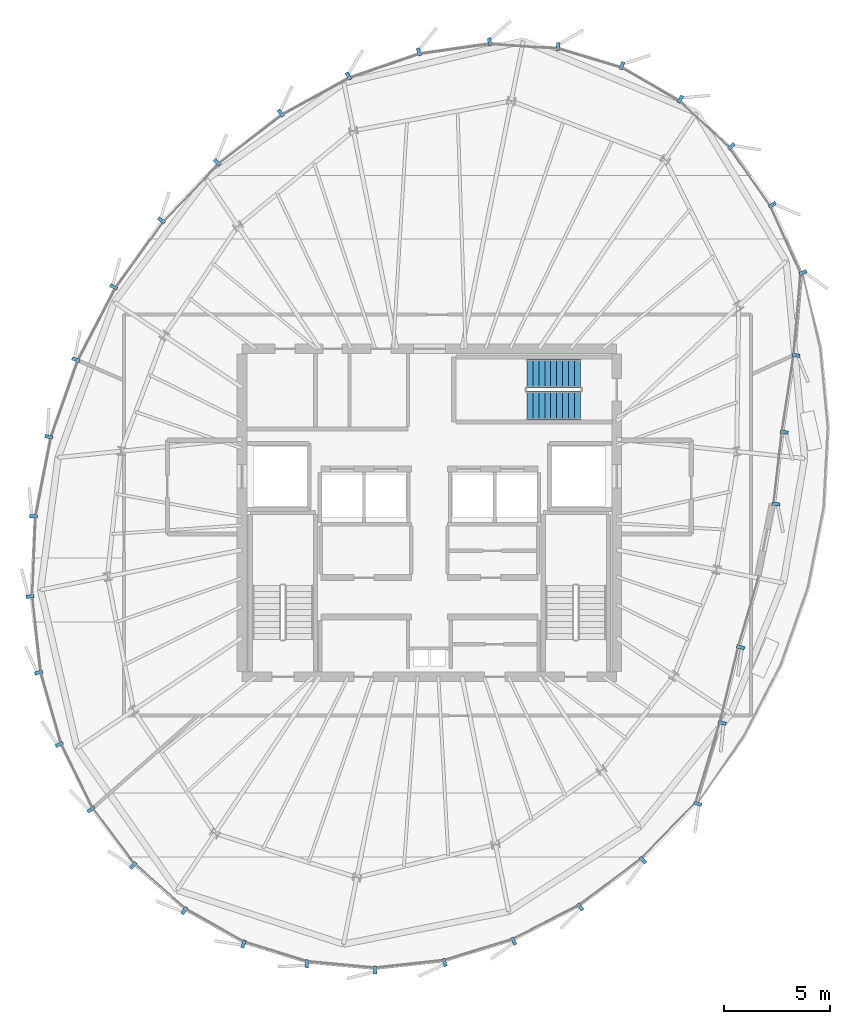
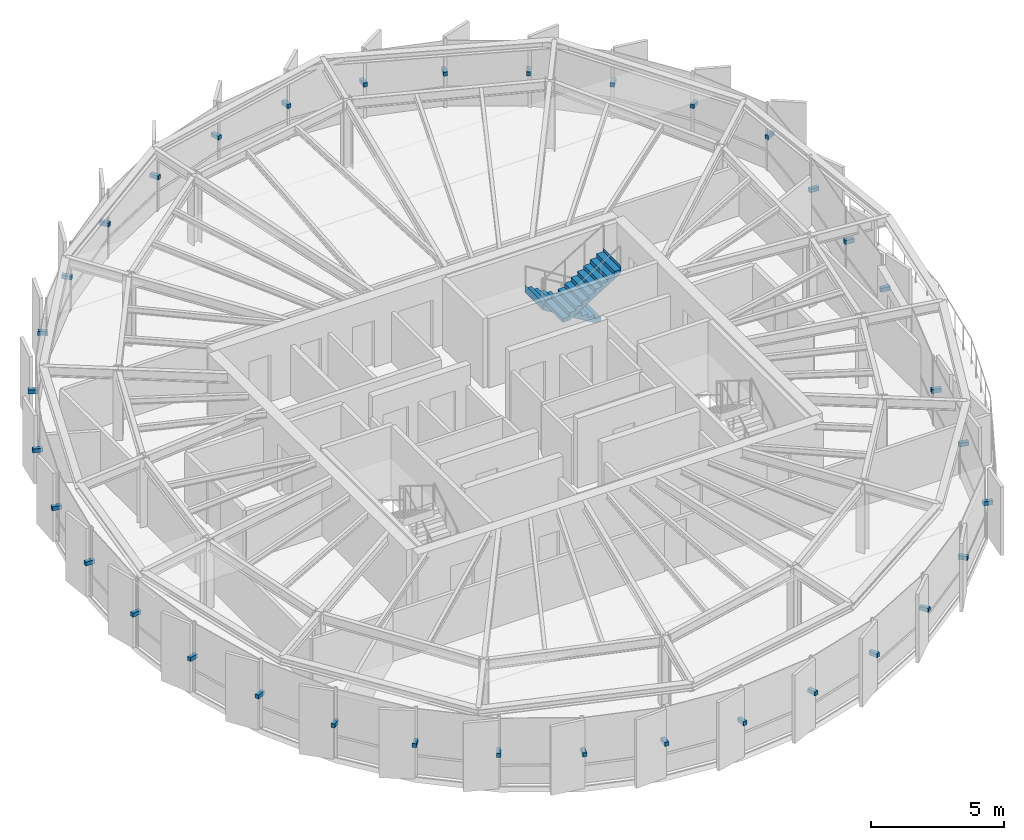
# One storey, part 27 of 31: 35 discrete accessories, 2 stair flights, 1 element without a shape of its own.
"""IFC4 building model written with IfcOpenShell, lengths in metres."""

from ifc_helpers import new_model, si_unit, direction, frame, origin, origin_2d, place, context, subcontext, project, spatial, polyline, rectangle, outline, extrude, source, transform, mapped, material, type_object, element, aggregate, save


model = new_model("IFC4")

# Units and contexts
model_context = context("Model", 3, precision=1e-05, world=origin(), true_north=direction((0.0, 1.0)))
body_context = subcontext(model_context, "Body", "Model", "MODEL_VIEW")
ifc_project = project(units=[si_unit("LENGTHUNIT", "METRE"), si_unit("AREAUNIT", "SQUARE_METRE"), si_unit("VOLUMEUNIT", "CUBIC_METRE"), si_unit("PLANEANGLEUNIT", "RADIAN"), si_unit("MASSUNIT", "GRAM", prefix="KILO"), si_unit("THERMODYNAMICTEMPERATUREUNIT", "KELVIN")], contexts=[model_context])

# Site, building, storey
site_placement = place(None, origin())
site = spatial("IfcSite", under=ifc_project, at=site_placement, CompositionType="ELEMENT")
building_placement = place(site_placement, origin())
building = spatial("IfcBuilding", under=site, at=building_placement, Name="Kethvar Cultural Tower", CompositionType="ELEMENT")
storey_placement = place(building_placement, frame((0.0, 0.0, 300.85009765625)))
storey = spatial("IfcBuildingStorey", under=building, at=storey_placement, Name="L80", CompositionType="ELEMENT", Elevation=300.85009765625)

# Stair, stair flights
ifc_material_1 = material(Name="Concrete C40/50", Category="concrete")
stair_type = type_object("IfcStairType", Name="ST-DOGLEG-135", PredefinedType="HALF_TURN_STAIR", material=ifc_material_1)
stair_placement = place(storey_placement, origin())
stair = element("IfcStair", 1, at=stair_placement, inside=storey, type_object=stair_type, Name="L80 Core Exit Stair 3", PredefinedType="HALF_TURN_STAIR")
stair_flight_type = type_object("IfcStairFlightType", Name="FL-STRAIGHT-135", PredefinedType="STRAIGHT", material=ifc_material_1)
stair_flight_1_placement = place(storey_placement, frame((53.89990234375, 34.3349609375, 0.0), z_axis=(0.0, 0.0, 1.0), x_axis=(-1.0, 0.0, 0.0)))
stair_flight_1 = element("IfcStairFlight", 2, at=stair_flight_1_placement, type_object=stair_flight_type, Name="ST-03 flight 1", NumberOfRisers=10, NumberOfTreads=9, PredefinedType="STRAIGHT", RiserHeight=0.1725, TreadLength=0.28, context=body_context, shape_type="SweptSolid", body=[
    extrude(outline(polyline([(-0.0009765625, -0.0009765625), (-0.0009765625, 0.172607421875), (0.280029296875, 0.172607421875), (0.280029296875, 0.344970703125), (0.56005859375, 0.344970703125), (0.56005859375, 0.517578125), (0.840087890625, 0.517578125), (0.840087890625, 0.68994140625), (1.1201171875, 0.68994140625), (1.1201171875, 0.862548828125), (1.39990234375, 0.862548828125), (1.39990234375, 1.034912109375), (1.679931640625, 1.034912109375), (1.679931640625, 1.20751953125), (1.9599609375, 1.20751953125), (1.9599609375, 1.3798828125), (2.239990234375, 1.3798828125), (2.239990234375, 1.552490234375), (2.52001953125, 1.552490234375), (2.52001953125, 1.72509765625), (2.52099609375, 1.72509765625), (2.52099609375, 1.37646484375), (0.285888671875, 0.0), (0.0, -0.0009765625), (-0.0009765625, -0.0009765625)])), frame((0.0, 0.675048828125, 0.0), z_axis=(0.0, -1.0, 0.0), x_axis=(1.0, 0.0, 0.0)), (0.0, 0.0, 1.0), 1.35009765625),
])
stair_flight_2_placement = place(storey_placement, frame((51.3798828125, 32.824951171875, 1.724853515625), z_axis=(0.0, 0.0, 1.0), x_axis=(1.0, 0.0, 0.0)))
stair_flight_2 = element("IfcStairFlight", 3, at=stair_flight_2_placement, type_object=stair_flight_type, Name="ST-03 flight 2", NumberOfRisers=10, NumberOfTreads=9, PredefinedType="STRAIGHT", RiserHeight=0.1725, TreadLength=0.28, context=body_context, shape_type="SweptSolid", body=[
    extrude(outline(polyline([(-0.0009765625, -0.0009765625), (-0.0009765625, 0.172607421875), (0.280029296875, 0.172607421875), (0.280029296875, 0.344970703125), (0.56005859375, 0.344970703125), (0.56005859375, 0.517578125), (0.840087890625, 0.517578125), (0.840087890625, 0.68994140625), (1.1201171875, 0.68994140625), (1.1201171875, 0.862548828125), (1.39990234375, 0.862548828125), (1.39990234375, 1.034912109375), (1.679931640625, 1.034912109375), (1.679931640625, 1.20751953125), (1.9599609375, 1.20751953125), (1.9599609375, 1.3798828125), (2.239990234375, 1.3798828125), (2.239990234375, 1.552490234375), (2.52001953125, 1.552490234375), (2.52001953125, 1.72509765625), (2.52099609375, 1.72509765625), (2.52099609375, 1.37646484375), (0.285888671875, 0.0), (0.0, -0.0009765625), (-0.0009765625, -0.0009765625)])), frame((0.0, 0.675048828125, 0.0), z_axis=(0.0, -1.0, 0.0), x_axis=(1.0, 0.0, 0.0)), (0.0, 0.0, 1.0), 1.35009765625),
])
aggregate(stair, [stair_flight_1, stair_flight_2])

# Discrete accessories
ifc_material_2 = material(Name="Steel S355J2", Category="steel")
discrete_accessory_type = type_object("IfcDiscreteAccessoryType", Name="Steel Fin Bracket BRK-01", PredefinedType="BRACKET", material=ifc_material_2)
shared_shape = source(origin(), body_context, "Body", "SweptSolid", [
    extrude(rectangle(XDim=0.3798828125, YDim=0.159912109375, at=origin_2d()), origin(), (0.0, 0.0, 1.0), 0.179931640625),
])
for number, where, z_axis, x_axis, name in (
    (4, (55.844482421875, 48.792724609375, 1.50244140625), (0.0, 0.0, 1.0), (0.288530506031, 0.957470702993, 0.0), "L80 Terracotta Fin Bracket 1.1"),
    (5, (52.8505859375, 49.694580078125, 1.50244140625), (0.0, 0.0, 1.0), (0.067318759124, 0.997731519333, 0.0), "L80 Terracotta Fin Bracket 1.2"),
    (6, (49.6259765625, 49.912109375, 1.50244140625), (0.0, 0.0, 1.0), (-0.141074021516, 0.989999050734, 0.0), "L80 Terracotta Fin Bracket 1.3"),
    (7, (46.3076171875, 49.43896484375, 1.50244140625), (0.0, 0.0, 1.0), (-0.324577831388, 0.945858991273, 0.0), "L80 Terracotta Fin Bracket 1.4"),
    (8, (43.002685546875, 48.3046875, 1.50244140625), (0.0, 0.0, 1.0), (-0.480529649952, 0.876978480647, 0.0), "L80 Terracotta Fin Bracket 1.5"),
    (9, (39.819091796875, 46.560302734375, 1.50244140625), (0.0, 0.0, 1.0), (-0.611388936315, 0.791330252519, 0.0), "L80 Terracotta Fin Bracket 1.6"),
    (10, (36.834716796875, 44.248046875, 1.50244140625), (0.0, 0.0, 1.0), (-0.721155944485, 0.692772764861, 0.0), "L80 Terracotta Fin Bracket 2.1"),
    (11, (34.218505859375, 41.524658203125, 1.50244140625), (0.0, 0.0, 1.0), (-0.812592453382, 0.582832312683, 0.0), "L80 Terracotta Fin Bracket 2.2"),
    (12, (31.976806640625, 38.398681640625, 1.50244140625), (0.0, 0.0, 1.0), (-0.887091410004, 0.461593793608, 0.0), "L80 Terracotta Fin Bracket 2.3"),
    (13, (30.199462890625, 34.98291015625, 1.50244140625), (0.0, 0.0, 1.0), (-0.943800951583, 0.330514392713, 0.0), "L80 Terracotta Fin Bracket 2.4"),
    (14, (28.930419921875, 31.358154296875, 1.50244140625), (0.0, 0.0, 1.0), (-0.981593866045, 0.190980318733, 0.0), "L80 Terracotta Fin Bracket 2.5"),
    (15, (28.2041015625, 27.625, 1.50244140625), (0.0, 0.0, 1.0), (-0.999063386755, 0.043270651098, 0.0), "L80 Terracotta Fin Bracket 2.6"),
    (16, (28.046630859375, 23.86181640625, 1.50244140625), (0.0, 0.0, 1.0), (-0.993650644295, -0.112509542228, 0.0), "L80 Terracotta Fin Bracket 3.1"),
    (17, (28.451416015625, 20.2880859375, 1.50244140625), (0.0, 0.0, 1.0), (-0.961549815579, -0.274630573972, 0.0), "L80 Terracotta Fin Bracket 3.2"),
    (18, (29.417236328125, 16.90673828125, 1.50244140625), (0.0, 0.0, 1.0), (-0.898027575761, -0.439939169856, 0.0), "L80 Terracotta Fin Bracket 3.3"),
    (19, (30.91162109375, 13.856689453125, 1.50244140625), (0.0, 0.0, 1.0), (-0.798950510167, -0.6013967761, 0.0), "L80 Terracotta Fin Bracket 3.4"),
    (20, (32.888916015625, 11.22998046875, 1.50244140625), (0.0, 0.0, 1.0), (-0.662620048216, -0.748955720789, 0.0), "L80 Terracotta Fin Bracket 3.5"),
    (21, (35.2890625, 9.106689453125, 1.50244140625), (0.0, 0.0, 1.0), (-0.492271646879, -0.870441626808, 0.0), "L80 Terracotta Fin Bracket 3.6"),
    (22, (38.072998046875, 7.541015625, 1.50244140625), (0.0, 0.0, 1.0), (-0.297541506743, -0.954708883255, 0.0), "L80 Terracotta Fin Bracket 4.1"),
    (23, (41.054931640625, 6.612060546875, 1.50244140625), (0.0, 0.0, 1.0), (-0.092370587447, -0.995724698185, 0.0), "L80 Terracotta Fin Bracket 4.2"),
    (24, (44.24560546875, 6.31640625, 1.50244140625), (0.0, 0.0, 1.0), (0.108519877105, -0.994094279368, 0.0), "L80 Terracotta Fin Bracket 4.3"),
    (25, (47.513916015625, 6.673583984375, 1.50244140625), (0.0, 0.0, 1.0), (0.294040325232, -0.955793014798, 0.0), "L80 Terracotta Fin Bracket 4.4"),
    (26, (50.760009765625, 7.67236328125, 1.50244140625), (0.0, 0.0, 1.0), (0.458029070905, -0.888937213872, 0.0), "L80 Terracotta Fin Bracket 4.5"),
    (27, (53.885986328125, 9.282958984375, 1.50244140625), (0.0, 0.0, 1.0), (0.598184746287, -0.801358227829, 0.0), "L80 Terracotta Fin Bracket 4.6"),
    (28, (56.8212890625, 11.4814453125, 1.50244140625), (0.0, 0.0, 1.0), (0.715448897181, -0.698665066769, 0.0), "L80 Terracotta Fin Bracket 5.1"),
    (29, (59.40478515625, 14.12841796875, 1.50244140625), (0.0, 0.0, 1.0), (0.957470702993, -0.288530506031, 0.0), "L80 Terracotta Fin Bracket 5.2"),
    (30, (60.549072265625, 17.924072265625, 1.50244140625), (0.0, 0.0, 1.0), (0.971424978662, -0.237346815507, 0.0), "L80 Terracotta Fin Bracket 5.3"),
    (31, (61.41650390625, 21.476318359375, 1.50244140625), (0.0, 0.0, 1.0), (0.959756291775, -0.28083422227, 0.0), "L80 Terracotta Fin Bracket 5.4"),
    (32, (63.075927734375, 28.199462890625, 1.50244140625), (0.0, 0.0, 1.0), (0.993412825714, -0.114590390988, 0.0), "L80 Terracotta Fin Bracket 6.1"),
    (33, (63.4658203125, 31.581298828125, 1.50244140625), (0.0, 0.0, 1.0), (0.988546626572, -0.15091576158, 0.0), "L80 Terracotta Fin Bracket 6.2"),
    (34, (64.015869140625, 35.182373046875, 1.50244140625), (0.0, 0.0, 1.0), (0.996389883808, -0.084895226275, 0.0), "L80 Terracotta Fin Bracket 6.3"),
    (35, (64.345947265625, 39.06982421875, 1.50244140625), (0.0, 0.0, 1.0), (0.911690345728, 0.410877978854, 0.0), "L80 Terracotta Fin Bracket 6.4"),
    (36, (62.91015625, 42.255615234375, 1.50244140625), (0.0, 0.0, 1.0), (0.818250062312, 0.574862449223, 0.0), "L80 Terracotta Fin Bracket 6.5"),
    (37, (60.983154296875, 44.998291015625, 1.50244140625), (0.0, 0.0, 1.0), (0.68123211445, 0.732067487492, 0.0), "L80 Terracotta Fin Bracket 6.6"),
    (38, (58.5859375, 47.217529296875, 1.50244140625), (0.0, 0.0, 1.0), (0.500453381281, 0.865763485696, 0.0), "L80 Terracotta Fin Bracket 7.1"),
):
    element("IfcDiscreteAccessory", number, at=place(storey_placement, frame(where, z_axis=z_axis, x_axis=x_axis)), inside=storey, type_object=discrete_accessory_type, Name=name, PredefinedType="BRACKET", context=body_context, shape_type="MappedRepresentation", body=[
        mapped(shared_shape, transform((0.0, 0.0, 0.0), scale=1.0)),
    ])

save(model, "model.ifc")
